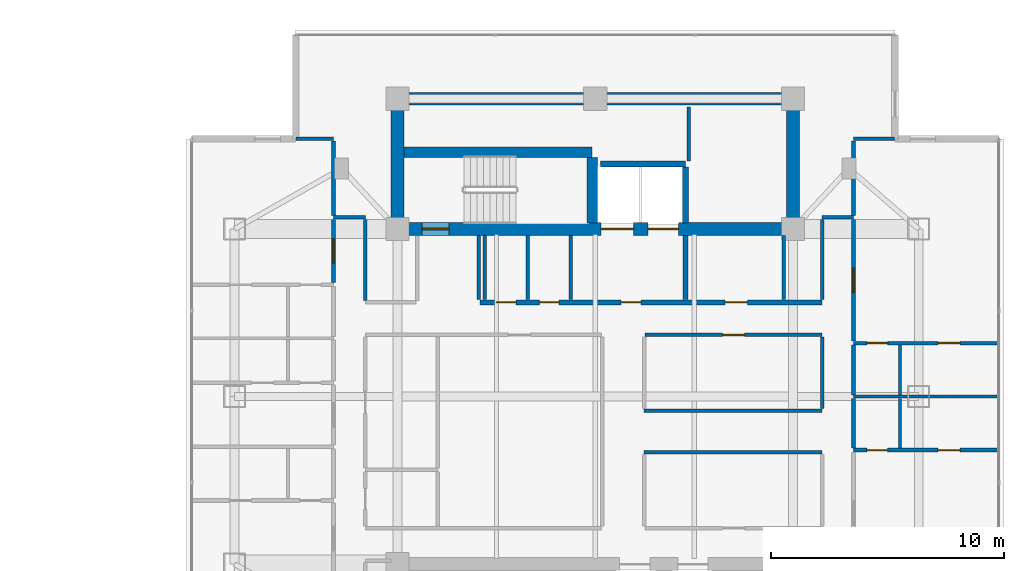
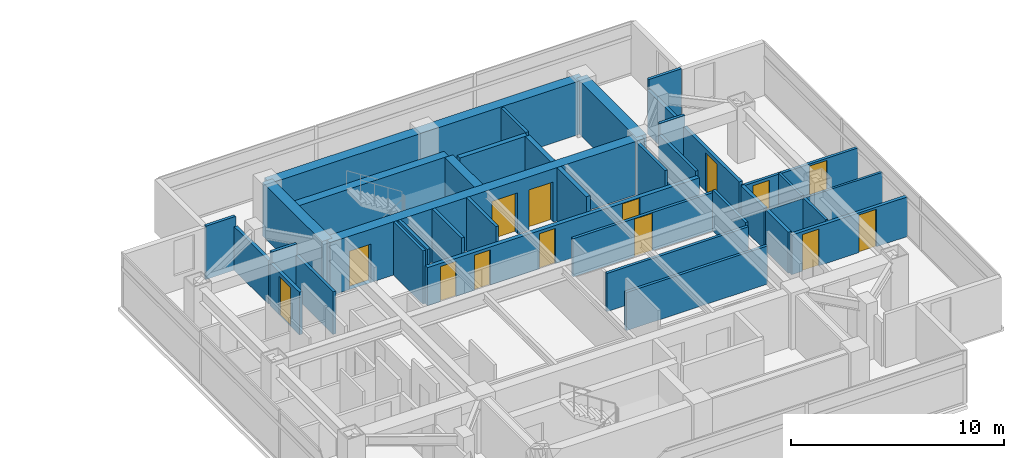
# One storey, part 17 of 24: 37 walls, 14 doors, 14 openings.
"""IFC4 building model written with IfcOpenShell, lengths in metres."""

from ifc_helpers import new_model, si_unit, direction, frame, frame_2d, origin, place, context, subcontext, project, spatial, rectangle, extrude, material, layer, layer_set, type_object, element, fill, save


model = new_model("IFC4")

# Units and contexts
model_context = context("Model", 3, precision=1e-05, world=origin(), true_north=direction((0.0, 1.0)))
body_context = subcontext(model_context, "Body", "Model", "MODEL_VIEW")
ifc_project = project(units=[si_unit("LENGTHUNIT", "METRE"), si_unit("AREAUNIT", "SQUARE_METRE"), si_unit("VOLUMEUNIT", "CUBIC_METRE"), si_unit("PLANEANGLEUNIT", "RADIAN"), si_unit("MASSUNIT", "GRAM", prefix="KILO")], contexts=[model_context])

# Site, building, storey
site_placement = place(None, origin())
site = spatial("IfcSite", under=ifc_project, at=site_placement, CompositionType="ELEMENT")
building_placement = place(site_placement, origin())
building = spatial("IfcBuilding", under=site, at=building_placement, Name="Mirazonda Arch Towers", CompositionType="ELEMENT")
storey_placement = place(building_placement, frame((0.0, 0.0, 164.14990234375)))
storey = spatial("IfcBuildingStorey", under=building, at=storey_placement, Name="L46", CompositionType="ELEMENT", Elevation=164.14990234375)

# Walls
ifc_material_1 = material(Name="Concrete C50/60", Category="concrete")
ifc_layer_1 = layer(ifc_material_1, 0.449951171875, Name="WALL-CORE-450")
ifc_layer_set_1 = layer_set([ifc_layer_1], Name="Concrete C50/60")
wall_type_1 = type_object("IfcWallType", Name="WALL-CORE-450", PredefinedType="SHEAR", material=ifc_layer_set_1)
wall_1_placement = place(storey_placement, frame((68.27001953125, 38.5, 0.0), z_axis=(0.0, 0.0, 1.0), x_axis=(1.0, 0.0, 0.0)))
element("IfcWall", 1, at=wall_1_placement, inside=storey, type_object=wall_type_1, Name="L46 Stair Core Shear Wall 054", PredefinedType="SHEAR", context=body_context, shape_type="SweptSolid", body=[
    extrude(rectangle(XDim=8.090087890625, YDim=0.449951171875, at=frame_2d((4.044921875, 0.0))), origin(), (0.0, 0.0, 1.0), 3.050048828125),
])
wall_2_placement = place(storey_placement, frame((76.360107421875, 35.469970703125, 0.0), z_axis=(0.0, 0.0, 1.0), x_axis=(0.0, 1.0, 0.0)))
element("IfcWall", 2, at=wall_2_placement, inside=storey, type_object=wall_type_1, Name="L46 Stair Core Shear Wall 142", PredefinedType="SHEAR", context=body_context, shape_type="SweptSolid", body=[
    extrude(rectangle(XDim=2.794921875, YDim=0.449951171875, at=frame_2d((1.3974609375, 0.0))), origin(), (0.0, 0.0, 1.0), 3.050048828125),
])
ifc_layer_2 = layer(ifc_material_1, 0.550048828125, Name="WALL-CORE-550")
ifc_layer_set_2 = layer_set([ifc_layer_2], Name="Concrete C50/60")
wall_type_2 = type_object("IfcWallType", Name="WALL-CORE-550", PredefinedType="SHEAR", material=ifc_layer_set_2)
wall_3_placement = place(storey_placement, frame((68.0, 40.800048828125, 0.0), z_axis=(0.0, 0.0, 1.0), x_axis=(1.0, 0.0, 0.0)))
element("IfcWall", 3, at=wall_3_placement, inside=storey, type_object=wall_type_2, Name="L46 T2N-N Core Shear Wall", PredefinedType="SHEAR", context=body_context, shape_type="SweptSolid", body=[
    extrude(rectangle(XDim=17.0, YDim=0.550048828125, at=frame_2d((8.5, 0.0))), origin(), (0.0, 0.0, 1.0), 3.050048828125),
])
for number, where, z_axis, x_axis, name in (
    (4, (68.0, 35.199951171875, 0.0), (0.0, 0.0, 1.0), (0.0, 1.0, 0.0), "L46 T2N-W Core Shear Wall"),
    (5, (85.0, 35.199951171875, 0.0), (0.0, 0.0, 1.0), (0.0, 1.0, 0.0), "L46 T2N-E Core Shear Wall"),
):
    element("IfcWall", number, at=place(storey_placement, frame(where, z_axis=z_axis, x_axis=x_axis)), inside=storey, type_object=wall_type_2, Name=name, PredefinedType="SHEAR", context=body_context, shape_type="SweptSolid", body=[
        extrude(rectangle(XDim=5.60009765625, YDim=0.550048828125, at=frame_2d((2.800048828125, 0.0))), origin(), (0.0, 0.0, 1.0), 3.050048828125),
    ])

# Wall, openings, doors
wall_4_placement = place(storey_placement, frame((68.0, 35.199951171875, 0.0), z_axis=(0.0, 0.0, 1.0), x_axis=(1.0, 0.0, 0.0)))
wall_4 = element("IfcWall", 6, at=wall_4_placement, inside=storey, type_object=wall_type_2, Name="L46 T2N-S Core Shear Wall", PredefinedType="SHEAR", context=body_context, shape_type="SweptSolid", body=[
    extrude(rectangle(XDim=17.0, YDim=0.550048828125, at=frame_2d((8.5, 0.0))), origin(), (0.0, 0.0, 1.0), 3.050048828125),
])
opening_1_placement = place(wall_4_placement, frame((1.06005859375, 0.0, 0.0)))
opening_1 = element("IfcOpeningElement", 7, at=opening_1_placement, cuts=wall_4, Name="Opening DR-135", PredefinedType="OPENING", context=body_context, shape_type="SweptSolid", body=[
    extrude(rectangle(XDim=1.14990234375, YDim=2.199951171875, at=frame_2d((0.574951171875, 1.10009765625))), frame((0.0, 0.284912109375, 0.0), z_axis=(0.0, -1.0, 0.0), x_axis=(1.0, 0.0, 0.0)), (0.0, 0.0, 1.0), 0.570068359375),
])
opening_2_placement = place(wall_4_placement, frame((8.75, 0.0, 0.0)))
opening_2 = element("IfcOpeningElement", 8, at=opening_2_placement, cuts=wall_4, Name="Opening LD-112", PredefinedType="OPENING", context=body_context, shape_type="SweptSolid", body=[
    extrude(rectangle(XDim=1.39990234375, YDim=2.35009765625, at=frame_2d((0.699951171875, 1.175048828125))), frame((0.0, 0.284912109375, 0.0), z_axis=(0.0, -1.0, 0.0), x_axis=(1.0, 0.0, 0.0)), (0.0, 0.0, 1.0), 0.570068359375),
])
opening_3_placement = place(wall_4_placement, frame((10.77001953125, 0.0, 0.0)))
opening_3 = element("IfcOpeningElement", 9, at=opening_3_placement, cuts=wall_4, Name="Opening LD-111", PredefinedType="OPENING", context=body_context, shape_type="SweptSolid", body=[
    extrude(rectangle(XDim=1.300048828125, YDim=2.300048828125, at=frame_2d((0.64990234375, 1.14990234375))), frame((0.0, 0.284912109375, 0.0), z_axis=(0.0, -1.0, 0.0), x_axis=(1.0, 0.0, 0.0)), (0.0, 0.0, 1.0), 0.570068359375),
])
ifc_material_2 = material(Name="Architectural Brushed Steel S355", Category="steel")
door_type_1 = type_object("IfcDoorType", Name="DOOR-LIFT-FFL-1400", OperationType="NOTDEFINED", PredefinedType="DOOR", material=ifc_material_2)
door_1_placement = place(opening_2_placement, origin())
door_1 = element("IfcDoor", 10, at=door_1_placement, inside=storey, type_object=door_type_1, Name="L46 Lift Landing Sliding Door FFL-T2", OperationType="DOUBLE_DOOR_SLIDING", OverallHeight=2.35009765625, OverallWidth=1.39990234375, PredefinedType="DOOR", context=body_context, shape_type="SweptSolid", body=[
    extrude(rectangle(XDim=1.39990234375, YDim=2.35009765625, at=frame_2d((0.699951171875, 1.175048828125))), frame((0.0, 0.02490234375, 0.0), z_axis=(0.0, -1.0, 0.0), x_axis=(1.0, 0.0, 0.0)), (0.0, 0.0, 1.0), 0.050048828125),
])
fill(opening_2, door_1)
door_type_2 = type_object("IfcDoorType", Name="DOOR-LIFT-LAND-1300", OperationType="NOTDEFINED", PredefinedType="DOOR", material=ifc_material_2)
door_2_placement = place(opening_3_placement, origin())
door_2 = element("IfcDoor", 11, at=door_2_placement, inside=storey, type_object=door_type_2, Name="L46 Lift Landing Sliding Door SVL-T2", OperationType="DOUBLE_DOOR_SLIDING", OverallHeight=2.300048828125, OverallWidth=1.300048828125, PredefinedType="DOOR", context=body_context, shape_type="SweptSolid", body=[
    extrude(rectangle(XDim=1.300048828125, YDim=2.300048828125, at=frame_2d((0.64990234375, 1.14990234375))), frame((0.0, 0.02490234375, 0.0), z_axis=(0.0, -1.0, 0.0), x_axis=(1.0, 0.0, 0.0)), (0.0, 0.0, 1.0), 0.050048828125),
])
fill(opening_3, door_2)
door_type_3 = type_object("IfcDoorType", Name="DOOR-STAIR-FD90-1150", OperationType="NOTDEFINED", PredefinedType="DOOR", material=ifc_material_2)
door_3_placement = place(opening_1_placement, origin())
door_3 = element("IfcDoor", 12, at=door_3_placement, inside=storey, type_object=door_type_3, Name="L46 East Protected Stair North Door", OperationType="SINGLE_SWING_LEFT", OverallHeight=2.199951171875, OverallWidth=1.14990234375, PredefinedType="DOOR", context=body_context, shape_type="SweptSolid", body=[
    extrude(rectangle(XDim=1.14990234375, YDim=2.199951171875, at=frame_2d((0.574951171875, 1.10009765625))), frame((0.0, 0.02490234375, 0.0), z_axis=(0.0, -1.0, 0.0), x_axis=(1.0, 0.0, 0.0)), (0.0, 0.0, 1.0), 0.050048828125),
])
fill(opening_1, door_3)

ifc_material_3 = material(Name="Concrete C40/50", Category="concrete")
ifc_layer_3 = layer(ifc_material_3, 0.219970703125, Name="WALL-FFL-220")
ifc_layer_set_3 = layer_set([ifc_layer_3], Name="Concrete C40/50")
wall_type_3 = type_object("IfcWallType", Name="WALL-FFL-220", PredefinedType="SOLIDWALL", material=ifc_layer_set_3)
wall_5_placement = place(storey_placement, frame((71.550048828125, 32.050048828125, 0.0), z_axis=(0.0, 0.0, 1.0), x_axis=(1.0, 0.0, 0.0)))
wall_5 = element("IfcWall", 13, at=wall_5_placement, inside=storey, type_object=wall_type_3, Name="L46 Interior Partition 044", PredefinedType="SOLIDWALL", context=body_context, shape_type="SweptSolid", body=[
    extrude(rectangle(XDim=14.699951171875, YDim=0.219970703125, at=frame_2d((7.35009765625, 0.0))), origin(), (0.0, 0.0, 1.0), 2.18603515625),
])
opening_4_placement = place(wall_5_placement, frame((6.06494140625, 0.0, 0.0)))
opening_4 = element("IfcOpeningElement", 14, at=opening_4_placement, cuts=wall_5, Name="Opening DR-128", PredefinedType="OPENING", context=body_context, shape_type="SweptSolid", body=[
    extrude(rectangle(XDim=0.85009765625, YDim=2.010009765625, at=frame_2d((0.425048828125, 1.0048828125))), frame((0.0, 0.119873046875, 0.0), z_axis=(0.0, -1.0, 0.0), x_axis=(1.0, 0.0, 0.0)), (0.0, 0.0, 1.0), 0.239990234375),
])
opening_5_placement = place(wall_5_placement, frame((10.534912109375, 0.0, 0.0)))
opening_5 = element("IfcOpeningElement", 15, at=opening_5_placement, cuts=wall_5, Name="Opening DR-104", PredefinedType="OPENING", context=body_context, shape_type="SweptSolid", body=[
    extrude(rectangle(XDim=0.949951171875, YDim=2.14990234375, at=frame_2d((0.47509765625, 1.074951171875))), frame((0.0, 0.119873046875, 0.0), z_axis=(0.0, -1.0, 0.0), x_axis=(1.0, 0.0, 0.0)), (0.0, 0.0, 1.0), 0.239990234375),
])
opening_6_placement = place(wall_5_placement, frame((0.699951171875, 0.0, 0.0)))
opening_6 = element("IfcOpeningElement", 16, at=opening_6_placement, cuts=wall_5, Name="Opening DR-128", PredefinedType="OPENING", context=body_context, shape_type="SweptSolid", body=[
    extrude(rectangle(XDim=0.85009765625, YDim=2.010009765625, at=frame_2d((0.425048828125, 1.0048828125))), frame((0.0, 0.119873046875, 0.0), z_axis=(0.0, -1.0, 0.0), x_axis=(1.0, 0.0, 0.0)), (0.0, 0.0, 1.0), 0.239990234375),
])
opening_7_placement = place(wall_5_placement, frame((2.550048828125, 0.0, 0.0)))
opening_7 = element("IfcOpeningElement", 17, at=opening_7_placement, cuts=wall_5, Name="Opening DR-128", PredefinedType="OPENING", context=body_context, shape_type="SweptSolid", body=[
    extrude(rectangle(XDim=0.85009765625, YDim=2.010009765625, at=frame_2d((0.425048828125, 1.0048828125))), frame((0.0, 0.119873046875, 0.0), z_axis=(0.0, -1.0, 0.0), x_axis=(1.0, 0.0, 0.0)), (0.0, 0.0, 1.0), 0.239990234375),
])
door_type_4 = type_object("IfcDoorType", Name="DOOR-RISER-FD60-850", OperationType="NOTDEFINED", PredefinedType="DOOR", material=ifc_material_2)
door_4_placement = place(opening_4_placement, origin())
door_4 = element("IfcDoor", 18, at=door_4_placement, inside=storey, type_object=door_type_4, Name="L46 East Firefighting Lift Lobby Door", OperationType="SINGLE_SWING_RIGHT", OverallHeight=2.010009765625, OverallWidth=0.85009765625, PredefinedType="DOOR", context=body_context, shape_type="SweptSolid", body=[
    extrude(rectangle(XDim=0.85009765625, YDim=2.010009765625, at=frame_2d((0.425048828125, 1.0048828125))), frame((0.0, 0.02490234375, 0.0), z_axis=(0.0, -1.0, 0.0), x_axis=(1.0, 0.0, 0.0)), (0.0, 0.0, 1.0), 0.050048828125),
])
fill(opening_4, door_4)
door_5_placement = place(opening_6_placement, origin())
door_5 = element("IfcDoor", 19, at=door_5_placement, inside=storey, type_object=door_type_4, Name="L46 Tower 2 Electrical Room Door", OperationType="SINGLE_SWING_RIGHT", OverallHeight=2.010009765625, OverallWidth=0.85009765625, PredefinedType="DOOR", context=body_context, shape_type="SweptSolid", body=[
    extrude(rectangle(XDim=0.85009765625, YDim=2.010009765625, at=frame_2d((0.425048828125, 1.0048828125))), frame((0.0, 0.02490234375, 0.0), z_axis=(0.0, -1.0, 0.0), x_axis=(1.0, 0.0, 0.0)), (0.0, 0.0, 1.0), 0.050048828125),
])
fill(opening_6, door_5)
door_6_placement = place(opening_7_placement, origin())
door_6 = element("IfcDoor", 20, at=door_6_placement, inside=storey, type_object=door_type_4, Name="L46 Tower 2 Cleaners Store Door", OperationType="SINGLE_SWING_LEFT", OverallHeight=2.010009765625, OverallWidth=0.85009765625, PredefinedType="DOOR", context=body_context, shape_type="SweptSolid", body=[
    extrude(rectangle(XDim=0.85009765625, YDim=2.010009765625, at=frame_2d((0.425048828125, 1.0048828125))), frame((0.0, 0.02490234375, 0.0), z_axis=(0.0, -1.0, 0.0), x_axis=(1.0, 0.0, 0.0)), (0.0, 0.0, 1.0), 0.050048828125),
])
fill(opening_7, door_6)
door_type_5 = type_object("IfcDoorType", Name="DOOR-ROOM-950", OperationType="NOTDEFINED", PredefinedType="DOOR", material=ifc_material_2)
door_7_placement = place(opening_5_placement, origin())
door_7 = element("IfcDoor", 21, at=door_7_placement, inside=storey, type_object=door_type_5, Name="L46 East Sky Reading Library Door", OperationType="SINGLE_SWING_LEFT", OverallHeight=2.14990234375, OverallWidth=0.949951171875, PredefinedType="DOOR", context=body_context, shape_type="SweptSolid", body=[
    extrude(rectangle(XDim=0.949951171875, YDim=2.14990234375, at=frame_2d((0.47509765625, 1.074951171875))), frame((0.0, 0.02490234375, 0.0), z_axis=(0.0, -1.0, 0.0), x_axis=(1.0, 0.0, 0.0)), (0.0, 0.0, 1.0), 0.050048828125),
])
fill(opening_5, door_7)

# Walls
wall_6_placement = place(storey_placement, frame((80.3798828125, 32.169921875, 0.0), z_axis=(0.0, 0.0, 1.0), x_axis=(0.0, 1.0, 0.0)))
element("IfcWall", 22, at=wall_6_placement, inside=storey, type_object=wall_type_3, Name="L46 Interior Partition 147", PredefinedType="SOLIDWALL", context=body_context, shape_type="SweptSolid", body=[
    extrude(rectangle(XDim=2.760009765625, YDim=0.219970703125, at=frame_2d((1.3798828125, 0.0))), origin(), (0.0, 0.0, 1.0), 3.050048828125),
])
ifc_material_4 = material(Name="Fire-Rated Gypsum Stud Partition")
ifc_layer_4 = layer(ifc_material_4, 0.14990234375, Name="WALL-PART-CORR-150")
ifc_layer_set_4 = layer_set([ifc_layer_4], Name="Fire-Rated Gypsum Stud Partition")
wall_type_4 = type_object("IfcWallType", Name="WALL-PART-CORR-150", PredefinedType="PARTITIONING", material=ifc_layer_set_4)
for number, where, z_axis, x_axis, name in (
    (23, (78.60009765625, 25.60009765625, 0.0), (0.0, 0.0, 1.0), (1.0, 0.0, 0.0), "L46 Interior Partition 028"),
    (24, (78.60009765625, 27.39990234375, 0.0), (0.0, 0.0, 1.0), (1.0, 0.0, 0.0), "L46 Interior Partition 032"),
):
    element("IfcWall", number, at=place(storey_placement, frame(where, z_axis=z_axis, x_axis=x_axis)), inside=storey, type_object=wall_type_4, Name=name, PredefinedType="PARTITIONING", context=body_context, shape_type="SweptSolid", body=[
        extrude(rectangle(XDim=7.64990234375, YDim=0.14990234375, at=frame_2d((3.824951171875, 0.0))), origin(), (0.0, 0.0, 1.0), 2.18603515625),
    ])

# Wall, openings, doors
wall_7_placement = place(storey_placement, frame((87.60009765625, 30.300048828125, 0.0), z_axis=(0.0, 0.0, 1.0), x_axis=(1.0, 0.0, 0.0)))
wall_7 = element("IfcWall", 25, at=wall_7_placement, inside=storey, type_object=wall_type_4, Name="L46 Interior Partition 037", PredefinedType="PARTITIONING", context=body_context, shape_type="SweptSolid", body=[
    extrude(rectangle(XDim=6.246826171875, YDim=0.14990234375, at=frame_2d((3.12353515625, 0.0))), origin(), (0.0, 0.0, 1.0), 2.26904296875),
])
opening_8_placement = place(wall_7_placement, frame((3.6279296875, 0.0, 0.0)))
opening_8 = element("IfcOpeningElement", 26, at=opening_8_placement, cuts=wall_7, Name="Opening DR-104", PredefinedType="OPENING", context=body_context, shape_type="SweptSolid", body=[
    extrude(rectangle(XDim=0.949951171875, YDim=2.14990234375, at=frame_2d((0.47509765625, 1.074951171875))), frame((0.0, 0.0849609375, 0.0), z_axis=(0.0, -1.0, 0.0), x_axis=(1.0, 0.0, 0.0)), (0.0, 0.0, 1.0), 0.169921875),
])
opening_9_placement = place(wall_7_placement, frame((0.569580078125, 0.0, 0.0)))
opening_9 = element("IfcOpeningElement", 27, at=opening_9_placement, cuts=wall_7, Name="Opening DR-120", PredefinedType="OPENING", context=body_context, shape_type="SweptSolid", body=[
    extrude(rectangle(XDim=0.89990234375, YDim=2.10009765625, at=frame_2d((0.449951171875, 1.050048828125))), frame((0.0, 0.0849609375, 0.0), z_axis=(0.0, -1.0, 0.0), x_axis=(1.0, 0.0, 0.0)), (0.0, 0.0, 1.0), 0.169921875),
])
door_8_placement = place(opening_8_placement, origin())
door_8 = element("IfcDoor", 28, at=door_8_placement, inside=storey, type_object=door_type_5, Name="L46 Studio 2 Galley Kitchen Door", OperationType="SINGLE_SWING_LEFT", OverallHeight=2.14990234375, OverallWidth=0.949951171875, PredefinedType="DOOR", context=body_context, shape_type="SweptSolid", body=[
    extrude(rectangle(XDim=0.949951171875, YDim=2.14990234375, at=frame_2d((0.47509765625, 1.074951171875))), frame((0.0, 0.02490234375, 0.0), z_axis=(0.0, -1.0, 0.0), x_axis=(1.0, 0.0, 0.0)), (0.0, 0.0, 1.0), 0.050048828125),
])
fill(opening_8, door_8)
door_type_6 = type_object("IfcDoorType", Name="DOOR-WC-900", OperationType="NOTDEFINED", PredefinedType="DOOR", material=ifc_material_2)
door_9_placement = place(opening_9_placement, origin())
door_9 = element("IfcDoor", 29, at=door_9_placement, inside=storey, type_object=door_type_6, Name="L46 Studio 2 Bathroom Door", OperationType="SINGLE_SWING_RIGHT", OverallHeight=2.10009765625, OverallWidth=0.89990234375, PredefinedType="DOOR", context=body_context, shape_type="SweptSolid", body=[
    extrude(rectangle(XDim=0.89990234375, YDim=2.10009765625, at=frame_2d((0.449951171875, 1.050048828125))), frame((0.0, 0.02490234375, 0.0), z_axis=(0.0, -1.0, 0.0), x_axis=(1.0, 0.0, 0.0)), (0.0, 0.0, 1.0), 0.050048828125),
])
fill(opening_9, door_9)

# Wall, opening, door
wall_8_placement = place(storey_placement, frame((78.639892578125, 30.64990234375, 0.0), z_axis=(0.0, 0.0, 1.0), x_axis=(1.0, 0.0, 0.0)))
wall_8 = element("IfcWall", 30, at=wall_8_placement, inside=storey, type_object=wall_type_4, Name="L46 Interior Partition 041", PredefinedType="PARTITIONING", context=body_context, shape_type="SweptSolid", body=[
    extrude(rectangle(XDim=7.610107421875, YDim=0.14990234375, at=frame_2d((3.80517578125, 0.0))), origin(), (0.0, 0.0, 1.0), 2.18603515625),
])
opening_10_placement = place(wall_8_placement, frame((3.330078125, 0.0, 0.0)))
opening_10 = element("IfcOpeningElement", 31, at=opening_10_placement, cuts=wall_8, Name="Opening DR-104", PredefinedType="OPENING", context=body_context, shape_type="SweptSolid", body=[
    extrude(rectangle(XDim=0.949951171875, YDim=2.14990234375, at=frame_2d((0.47509765625, 1.074951171875))), frame((0.0, 0.0849609375, 0.0), z_axis=(0.0, -1.0, 0.0), x_axis=(1.0, 0.0, 0.0)), (0.0, 0.0, 1.0), 0.169921875),
])
door_10_placement = place(opening_10_placement, origin())
door_10 = element("IfcDoor", 32, at=door_10_placement, inside=storey, type_object=door_type_5, Name="L46 L46 Tower 2 North-East Study Door", OperationType="SINGLE_SWING_RIGHT", OverallHeight=2.14990234375, OverallWidth=0.949951171875, PredefinedType="DOOR", context=body_context, shape_type="SweptSolid", body=[
    extrude(rectangle(XDim=0.949951171875, YDim=2.14990234375, at=frame_2d((0.47509765625, 1.074951171875))), frame((0.0, 0.02490234375, 0.0), z_axis=(0.0, -1.0, 0.0), x_axis=(1.0, 0.0, 0.0)), (0.0, 0.0, 1.0), 0.050048828125),
])
fill(opening_10, door_10)

# Walls
wall_9_placement = place(storey_placement, frame((65.25, 35.699951171875, 0.0), z_axis=(0.0, 0.0, 1.0), x_axis=(1.0, 0.0, 0.0)))
element("IfcWall", 33, at=wall_9_placement, inside=storey, type_object=wall_type_4, Name="L46 Interior Partition 050", PredefinedType="PARTITIONING", context=body_context, shape_type="SweptSolid", body=[
    extrude(rectangle(XDim=1.3701171875, YDim=0.14990234375, at=frame_2d((0.68505859375, 0.0))), origin(), (0.0, 0.0, 1.0), 3.050048828125),
])
wall_10_placement = place(storey_placement, frame((86.25, 35.699951171875, 0.0), z_axis=(0.0, 0.0, 1.0), x_axis=(1.0, 0.0, 0.0)))
element("IfcWall", 34, at=wall_10_placement, inside=storey, type_object=wall_type_4, Name="L46 Interior Partition 051", PredefinedType="PARTITIONING", context=body_context, shape_type="SweptSolid", body=[
    extrude(rectangle(XDim=1.35009765625, YDim=0.14990234375, at=frame_2d((0.675048828125, 0.0))), origin(), (0.0, 0.0, 1.0), 3.050048828125),
])
wall_11_placement = place(storey_placement, frame((63.638671875, 39.075927734375, 0.0), z_axis=(0.0, 0.0, 1.0), x_axis=(1.0, 0.0, 0.0)))
element("IfcWall", 35, at=wall_11_placement, inside=storey, type_object=wall_type_4, Name="L46 Interior Partition 055", PredefinedType="PARTITIONING", context=body_context, shape_type="SweptSolid", body=[
    extrude(rectangle(XDim=1.611328125, YDim=0.14990234375, at=frame_2d((0.8056640625, 0.0))), origin(), (0.0, 0.0, 1.0), 3.050048828125),
])
wall_12_placement = place(storey_placement, frame((87.60009765625, 39.075927734375, 0.0), z_axis=(0.0, 0.0, 1.0), x_axis=(1.0, 0.0, 0.0)))
element("IfcWall", 36, at=wall_12_placement, inside=storey, type_object=wall_type_4, Name="L46 Interior Partition 056", PredefinedType="PARTITIONING", context=body_context, shape_type="SweptSolid", body=[
    extrude(rectangle(XDim=1.76123046875, YDim=0.14990234375, at=frame_2d((0.880615234375, 0.0))), origin(), (0.0, 0.0, 1.0), 3.050048828125),
])
wall_13_placement = place(storey_placement, frame((66.6201171875, 32.135009765625, 0.0), z_axis=(0.0, 0.0, 1.0), x_axis=(0.0, 1.0, 0.0)))
element("IfcWall", 37, at=wall_13_placement, inside=storey, type_object=wall_type_4, Name="L46 Interior Partition 133", PredefinedType="PARTITIONING", context=body_context, shape_type="SweptSolid", body=[
    extrude(rectangle(XDim=3.47998046875, YDim=0.14990234375, at=frame_2d((1.739990234375, 0.0))), origin(), (0.0, 0.0, 1.0), 2.442138671875),
])
for number, where, z_axis, x_axis, name in (
    (38, (71.5, 32.169921875, 0.0), (0.0, 0.0, 1.0), (0.0, 1.0, 0.0), "L46 Interior Partition 137"),
    (39, (71.75, 32.169921875, 0.0), (0.0, 0.0, 1.0), (0.0, 1.0, 0.0), "L46 Interior Partition 138"),
    (40, (73.60009765625, 32.169921875, 0.0), (0.0, 0.0, 1.0), (0.0, 1.0, 0.0), "L46 Interior Partition 139"),
    (41, (75.449951171875, 32.169921875, 0.0), (0.0, 0.0, 1.0), (0.0, 1.0, 0.0), "L46 Interior Partition 140"),
):
    element("IfcWall", number, at=place(storey_placement, frame(where, z_axis=z_axis, x_axis=x_axis)), inside=storey, type_object=wall_type_4, Name=name, PredefinedType="PARTITIONING", context=body_context, shape_type="SweptSolid", body=[
        extrude(rectangle(XDim=2.760009765625, YDim=0.14990234375, at=frame_2d((1.3798828125, 0.0))), origin(), (0.0, 0.0, 1.0), 3.050048828125),
    ])
wall_14_placement = place(storey_placement, frame((80.52001953125, 38.135009765625, 0.0), z_axis=(0.0, 0.0, 1.0), x_axis=(0.0, 1.0, 0.0)))
element("IfcWall", 42, at=wall_14_placement, inside=storey, type_object=wall_type_4, Name="L46 Interior Partition 149", PredefinedType="PARTITIONING", context=body_context, shape_type="SweptSolid", body=[
    extrude(rectangle(XDim=2.31494140625, YDim=0.14990234375, at=frame_2d((1.157470703125, 0.0))), origin(), (0.0, 0.0, 1.0), 3.050048828125),
])
wall_15_placement = place(storey_placement, frame((84.60009765625, 32.169921875, 0.0), z_axis=(0.0, 0.0, 1.0), x_axis=(0.0, 1.0, 0.0)))
element("IfcWall", 43, at=wall_15_placement, inside=storey, type_object=wall_type_4, Name="L46 Interior Partition 151", PredefinedType="PARTITIONING", context=body_context, shape_type="SweptSolid", body=[
    extrude(rectangle(XDim=2.760009765625, YDim=0.14990234375, at=frame_2d((1.3798828125, 0.0))), origin(), (0.0, 0.0, 1.0), 3.050048828125),
])
wall_16_placement = place(storey_placement, frame((86.25, 27.485107421875, 0.0), z_axis=(0.0, 0.0, 1.0), x_axis=(0.0, 1.0, 0.0)))
element("IfcWall", 44, at=wall_16_placement, inside=storey, type_object=wall_type_4, Name="L46 Interior Partition 154", PredefinedType="PARTITIONING", context=body_context, shape_type="SweptSolid", body=[
    extrude(rectangle(XDim=3.079833984375, YDim=0.14990234375, at=frame_2d((1.5400390625, 0.0))), origin(), (0.0, 0.0, 1.0), 2.34619140625),
])
wall_17_placement = place(storey_placement, frame((86.25, 32.169921875, 0.0), z_axis=(0.0, 0.0, 1.0), x_axis=(0.0, 1.0, 0.0)))
element("IfcWall", 45, at=wall_17_placement, inside=storey, type_object=wall_type_4, Name="L46 Interior Partition 155", PredefinedType="PARTITIONING", context=body_context, shape_type="SweptSolid", body=[
    extrude(rectangle(XDim=3.445068359375, YDim=0.14990234375, at=frame_2d((1.72265625, 0.0))), origin(), (0.0, 0.0, 1.0), 2.442138671875),
])

# Wall, openings, doors
ifc_material_5 = material(Name="Fire-Rated Gypsum Twin-Stud Assembly")
ifc_layer_5 = layer(ifc_material_5, 0.179931640625, Name="WALL-PART-DEMISE-180")
ifc_layer_set_5 = layer_set([ifc_layer_5], Name="Fire-Rated Gypsum Twin-Stud Assembly")
wall_type_5 = type_object("IfcWallType", Name="WALL-PART-DEMISE-180", PredefinedType="PARTITIONING", material=ifc_layer_set_5)
wall_18_placement = place(storey_placement, frame((87.60009765625, 25.699951171875, 0.0), z_axis=(0.0, 0.0, 1.0), x_axis=(1.0, 0.0, 0.0)))
wall_18 = element("IfcWall", 46, at=wall_18_placement, inside=storey, type_object=wall_type_5, Name="L46 Interior Partition 030", PredefinedType="PARTITIONING", context=body_context, shape_type="SweptSolid", body=[
    extrude(rectangle(XDim=6.246826171875, YDim=0.179931640625, at=frame_2d((3.12353515625, 0.0))), origin(), (0.0, 0.0, 1.0), 2.26904296875),
])
opening_11_placement = place(wall_18_placement, frame((3.6279296875, 0.0, 0.0)))
opening_11 = element("IfcOpeningElement", 47, at=opening_11_placement, cuts=wall_18, Name="Opening DR-104", PredefinedType="OPENING", context=body_context, shape_type="SweptSolid", body=[
    extrude(rectangle(XDim=0.949951171875, YDim=2.14990234375, at=frame_2d((0.47509765625, 1.074951171875))), frame((0.0, 0.099853515625, 0.0), z_axis=(0.0, -1.0, 0.0), x_axis=(1.0, 0.0, 0.0)), (0.0, 0.0, 1.0), 0.199951171875),
])
opening_12_placement = place(wall_18_placement, frame((0.569580078125, 0.0, 0.0)))
opening_12 = element("IfcOpeningElement", 48, at=opening_12_placement, cuts=wall_18, Name="Opening DR-120", PredefinedType="OPENING", context=body_context, shape_type="SweptSolid", body=[
    extrude(rectangle(XDim=0.89990234375, YDim=2.10009765625, at=frame_2d((0.449951171875, 1.050048828125))), frame((0.0, 0.099853515625, 0.0), z_axis=(0.0, -1.0, 0.0), x_axis=(1.0, 0.0, 0.0)), (0.0, 0.0, 1.0), 0.199951171875),
])
door_11_placement = place(opening_11_placement, origin())
door_11 = element("IfcDoor", 49, at=door_11_placement, inside=storey, type_object=door_type_5, Name="L46 Studio 1 Galley Kitchen Door", OperationType="SINGLE_SWING_RIGHT", OverallHeight=2.14990234375, OverallWidth=0.949951171875, PredefinedType="DOOR", context=body_context, shape_type="SweptSolid", body=[
    extrude(rectangle(XDim=0.949951171875, YDim=2.14990234375, at=frame_2d((0.47509765625, 1.074951171875))), frame((0.0, 0.02490234375, 0.0), z_axis=(0.0, -1.0, 0.0), x_axis=(1.0, 0.0, 0.0)), (0.0, 0.0, 1.0), 0.050048828125),
])
fill(opening_11, door_11)
door_12_placement = place(opening_12_placement, origin())
door_12 = element("IfcDoor", 50, at=door_12_placement, inside=storey, type_object=door_type_6, Name="L46 Studio 1 Bathroom Door", OperationType="SINGLE_SWING_LEFT", OverallHeight=2.10009765625, OverallWidth=0.89990234375, PredefinedType="DOOR", context=body_context, shape_type="SweptSolid", body=[
    extrude(rectangle(XDim=0.89990234375, YDim=2.10009765625, at=frame_2d((0.449951171875, 1.050048828125))), frame((0.0, 0.02490234375, 0.0), z_axis=(0.0, -1.0, 0.0), x_axis=(1.0, 0.0, 0.0)), (0.0, 0.0, 1.0), 0.050048828125),
])
fill(opening_12, door_12)

# Wall, opening, door
wall_19_placement = place(storey_placement, frame((65.25, 32.89306640625, 0.0), z_axis=(0.0, 0.0, 1.0), x_axis=(0.0, 1.0, 0.0)))
wall_19 = element("IfcWall", 51, at=wall_19_placement, inside=storey, type_object=wall_type_5, Name="L46 Interior Partition 128", PredefinedType="PARTITIONING", context=body_context, shape_type="SweptSolid", body=[
    extrude(rectangle(XDim=2.721923828125, YDim=0.179931640625, at=frame_2d((1.36083984375, 0.0))), origin(), (0.0, 0.0, 1.0), 2.442138671875),
])
opening_13_placement = place(wall_19_placement, frame((0.8359375, 0.0, 0.0)))
opening_13 = element("IfcOpeningElement", 52, at=opening_13_placement, cuts=wall_19, Name="Opening DR-121", PredefinedType="OPENING", context=body_context, shape_type="SweptSolid", body=[
    extrude(rectangle(XDim=1.050048828125, YDim=2.199951171875, at=frame_2d((0.52490234375, 1.10009765625))), frame((0.0, 0.099853515625, 0.0), z_axis=(0.0, -1.0, 0.0), x_axis=(1.0, 0.0, 0.0)), (0.0, 0.0, 1.0), 0.199951171875),
])
door_type_7 = type_object("IfcDoorType", Name="DOOR-SUITE-FD60-1050", OperationType="NOTDEFINED", PredefinedType="DOOR", material=ifc_material_2)
door_13_placement = place(opening_13_placement, origin())
door_13 = element("IfcDoor", 53, at=door_13_placement, inside=storey, type_object=door_type_7, Name="L46 Studio Apartment 3 Living Salon Door", OperationType="SINGLE_SWING_RIGHT", OverallHeight=2.199951171875, OverallWidth=1.050048828125, PredefinedType="DOOR", context=body_context, shape_type="SweptSolid", body=[
    extrude(rectangle(XDim=1.050048828125, YDim=2.199951171875, at=frame_2d((0.52490234375, 1.10009765625))), frame((0.0, 0.02490234375, 0.0), z_axis=(0.0, -1.0, 0.0), x_axis=(1.0, 0.0, 0.0)), (0.0, 0.0, 1.0), 0.050048828125),
])
fill(opening_13, door_13)

# Walls
wall_20_placement = place(storey_placement, frame((65.25, 35.784912109375, 0.0), z_axis=(0.0, 0.0, 1.0), x_axis=(0.0, 1.0, 0.0)))
element("IfcWall", 54, at=wall_20_placement, inside=storey, type_object=wall_type_5, Name="L46 Interior Partition 129", PredefinedType="PARTITIONING", context=body_context, shape_type="SweptSolid", body=[
    extrude(rectangle(XDim=3.2060546875, YDim=0.179931640625, at=frame_2d((1.60302734375, 0.0))), origin(), (0.0, 0.0, 1.0), 2.4931640625),
])
wall_21_placement = place(storey_placement, frame((87.60009765625, 25.800048828125, 0.0), z_axis=(0.0, 0.0, 1.0), x_axis=(0.0, 1.0, 0.0)))
element("IfcWall", 55, at=wall_21_placement, inside=storey, type_object=wall_type_5, Name="L46 Interior Partition 158", PredefinedType="PARTITIONING", context=body_context, shape_type="SweptSolid", body=[
    extrude(rectangle(XDim=2.12744140625, YDim=0.179931640625, at=frame_2d((1.063720703125, 0.0))), origin(), (0.0, 0.0, 1.0), 2.34619140625),
])
wall_22_placement = place(storey_placement, frame((87.60009765625, 28.072509765625, 0.0), z_axis=(0.0, 0.0, 1.0), x_axis=(0.0, 1.0, 0.0)))
element("IfcWall", 56, at=wall_22_placement, inside=storey, type_object=wall_type_5, Name="L46 Interior Partition 159", PredefinedType="PARTITIONING", context=body_context, shape_type="SweptSolid", body=[
    extrude(rectangle(XDim=2.142578125, YDim=0.179931640625, at=frame_2d((1.0712890625, 0.0))), origin(), (0.0, 0.0, 1.0), 2.34619140625),
])

# Wall, opening, door
wall_23_placement = place(storey_placement, frame((87.60009765625, 30.385009765625, 0.0), z_axis=(0.0, 0.0, 1.0), x_axis=(0.0, 1.0, 0.0)))
wall_23 = element("IfcWall", 57, at=wall_23_placement, inside=storey, type_object=wall_type_5, Name="L46 Interior Partition 160", PredefinedType="PARTITIONING", context=body_context, shape_type="SweptSolid", body=[
    extrude(rectangle(XDim=5.22998046875, YDim=0.179931640625, at=frame_2d((2.614990234375, 0.0))), origin(), (0.0, 0.0, 1.0), 2.442138671875),
])
opening_14_placement = place(wall_23_placement, frame((2.090087890625, 0.0, 0.0)))
opening_14 = element("IfcOpeningElement", 58, at=opening_14_placement, cuts=wall_23, Name="Opening DR-121", PredefinedType="OPENING", context=body_context, shape_type="SweptSolid", body=[
    extrude(rectangle(XDim=1.050048828125, YDim=2.199951171875, at=frame_2d((0.52490234375, 1.10009765625))), frame((0.0, 0.099853515625, 0.0), z_axis=(0.0, -1.0, 0.0), x_axis=(1.0, 0.0, 0.0)), (0.0, 0.0, 1.0), 0.199951171875),
])
door_14_placement = place(opening_14_placement, origin())
door_14 = element("IfcDoor", 59, at=door_14_placement, inside=storey, type_object=door_type_7, Name="L46 Studio Apartment 2 Living Salon Door", OperationType="SINGLE_SWING_RIGHT", OverallHeight=2.199951171875, OverallWidth=1.050048828125, PredefinedType="DOOR", context=body_context, shape_type="SweptSolid", body=[
    extrude(rectangle(XDim=1.050048828125, YDim=2.199951171875, at=frame_2d((0.52490234375, 1.10009765625))), frame((0.0, 0.02490234375, 0.0), z_axis=(0.0, -1.0, 0.0), x_axis=(1.0, 0.0, 0.0)), (0.0, 0.0, 1.0), 0.050048828125),
])
fill(opening_14, door_14)

# Walls
wall_24_placement = place(storey_placement, frame((87.60009765625, 35.784912109375, 0.0), z_axis=(0.0, 0.0, 1.0), x_axis=(0.0, 1.0, 0.0)))
element("IfcWall", 60, at=wall_24_placement, inside=storey, type_object=wall_type_5, Name="L46 Interior Partition 161", PredefinedType="PARTITIONING", context=body_context, shape_type="SweptSolid", body=[
    extrude(rectangle(XDim=3.2060546875, YDim=0.179931640625, at=frame_2d((1.60302734375, 0.0))), origin(), (0.0, 0.0, 1.0), 2.4931640625),
])
ifc_material_6 = material(Name="Acoustic Fire-Rated Gypsum Partition")
ifc_layer_6 = layer(ifc_material_6, 0.125, Name="WALL-PART-UNIT-125")
ifc_layer_set_6 = layer_set([ifc_layer_6], Name="Acoustic Fire-Rated Gypsum Partition")
wall_type_6 = type_object("IfcWallType", Name="WALL-PART-UNIT-125", PredefinedType="PARTITIONING", material=ifc_layer_set_6)
wall_25_placement = place(storey_placement, frame((87.60009765625, 28.0, 0.0), z_axis=(0.0, 0.0, 1.0), x_axis=(1.0, 0.0, 0.0)))
element("IfcWall", 61, at=wall_25_placement, inside=storey, type_object=wall_type_6, Name="L46 Interior Partition 034", PredefinedType="PARTITIONING", context=body_context, shape_type="SweptSolid", body=[
    extrude(rectangle(XDim=6.246826171875, YDim=0.125, at=frame_2d((3.12353515625, 0.0))), origin(), (0.0, 0.0, 1.0), 2.26904296875),
])
wall_26_placement = place(storey_placement, frame((89.59912109375, 25.800048828125, 0.0), z_axis=(0.0, 0.0, 1.0), x_axis=(0.0, 1.0, 0.0)))
element("IfcWall", 62, at=wall_26_placement, inside=storey, type_object=wall_type_6, Name="L46 Interior Partition 162", PredefinedType="PARTITIONING", context=body_context, shape_type="SweptSolid", body=[
    extrude(rectangle(XDim=2.12744140625, YDim=0.125, at=frame_2d((1.063720703125, 0.0))), origin(), (0.0, 0.0, 1.0), 2.34619140625),
])
wall_27_placement = place(storey_placement, frame((89.59912109375, 28.072509765625, 0.0), z_axis=(0.0, 0.0, 1.0), x_axis=(0.0, 1.0, 0.0)))
element("IfcWall", 63, at=wall_27_placement, inside=storey, type_object=wall_type_6, Name="L46 Interior Partition 163", PredefinedType="PARTITIONING", context=body_context, shape_type="SweptSolid", body=[
    extrude(rectangle(XDim=2.142578125, YDim=0.125, at=frame_2d((1.0712890625, 0.0))), origin(), (0.0, 0.0, 1.0), 2.34619140625),
])
ifc_layer_7 = layer(ifc_material_3, 0.25, Name="WALL-SHAFT-250")
ifc_layer_set_7 = layer_set([ifc_layer_7], Name="Concrete C40/50")
wall_type_7 = type_object("IfcWallType", Name="WALL-SHAFT-250", PredefinedType="SOLIDWALL", material=ifc_layer_set_7)
wall_28_placement = place(storey_placement, frame((76.719970703125, 38.0, 0.0), z_axis=(0.0, 0.0, 1.0), x_axis=(1.0, 0.0, 0.0)))
element("IfcWall", 64, at=wall_28_placement, inside=storey, type_object=wall_type_7, Name="L46 Interior Partition 053", PredefinedType="SOLIDWALL", context=body_context, shape_type="SweptSolid", body=[
    extrude(rectangle(XDim=3.659912109375, YDim=0.25, at=frame_2d((1.830078125, 0.0))), origin(), (0.0, 0.0, 1.0), 3.050048828125),
])
wall_29_placement = place(storey_placement, frame((80.3798828125, 35.469970703125, 0.0), z_axis=(0.0, 0.0, 1.0), x_axis=(0.0, 1.0, 0.0)))
element("IfcWall", 65, at=wall_29_placement, inside=storey, type_object=wall_type_7, Name="L46 Interior Partition 148", PredefinedType="SOLIDWALL", context=body_context, shape_type="SweptSolid", body=[
    extrude(rectangle(XDim=2.39501953125, YDim=0.25, at=frame_2d((1.197509765625, 0.0))), origin(), (0.0, 0.0, 1.0), 3.050048828125),
])

save(model, "model.ifc")
